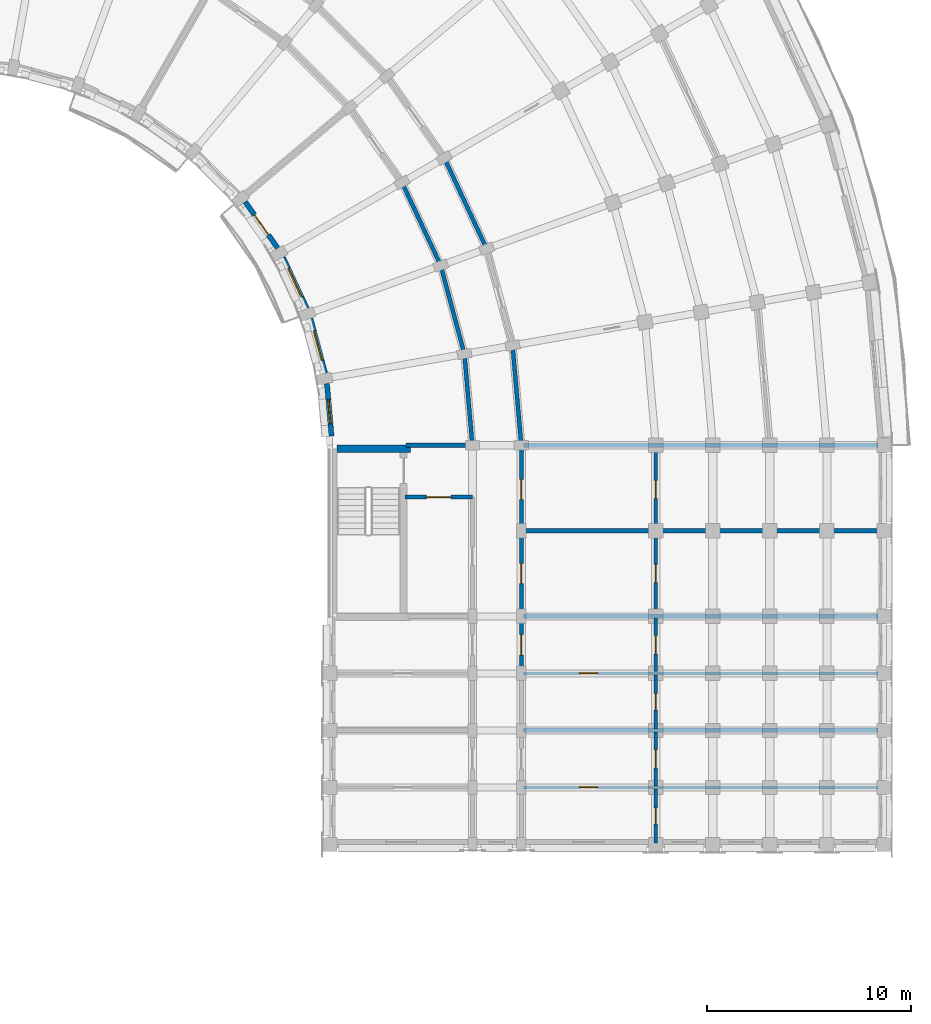
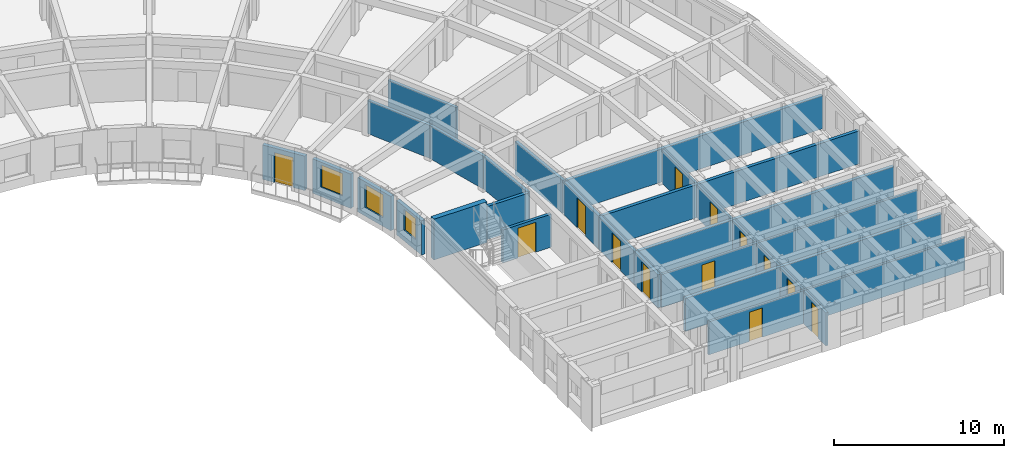
# One storey, part 34 of 57: 27 walls, 13 doors, 3 windows, 16 openings.
"""IFC4 building model written with IfcOpenShell, lengths in metres."""

from ifc_helpers import new_model, si_unit, direction, frame, frame_2d, origin, place, context, subcontext, project, spatial, rectangle, extrude, material, layer, layer_set, type_object, element, fill, save


model = new_model("IFC4")

# Units and contexts
model_context = context("Model", 3, precision=1e-05, world=origin(), true_north=direction((0.0, 1.0)))
body_context = subcontext(model_context, "Body", "Model", "MODEL_VIEW")
ifc_project = project(units=[si_unit("LENGTHUNIT", "METRE"), si_unit("AREAUNIT", "SQUARE_METRE"), si_unit("VOLUMEUNIT", "CUBIC_METRE"), si_unit("PLANEANGLEUNIT", "RADIAN"), si_unit("MASSUNIT", "GRAM", prefix="KILO")], contexts=[model_context])

# Site, building, storey
site_placement = place(None, origin())
site = spatial("IfcSite", under=ifc_project, at=site_placement, CompositionType="ELEMENT")
building_placement = place(site_placement, origin())
building = spatial("IfcBuilding", under=site, at=building_placement, Name="Kiranvali Square Residences", CompositionType="ELEMENT")
storey_placement = place(building_placement, frame((0.0, 0.0, 21.300048828125)))
storey = spatial("IfcBuildingStorey", under=building, at=storey_placement, Name="L06", CompositionType="ELEMENT", Elevation=21.300048828125)

# Wall, opening, door
ifc_material_1 = material(Name="Autoclaved aerated concrete blockwork masonry", Category="masonry")
ifc_layer_1 = layer(ifc_material_1, 0.199951171875)
ifc_layer_set_1 = layer_set([ifc_layer_1], Name="Autoclaved aerated concrete blockwork masonry")
wall_type_1 = type_object("IfcWallType", Name="WL-COR-200", PredefinedType="STANDARD", material=ifc_layer_set_1)
wall_1_placement = place(storey_placement, frame((142.300048828125, 85.25, 0.0), z_axis=(0.0, 0.0, 1.0), x_axis=(1.0, 0.0, 0.0)))
wall_1 = element("IfcWall", 1, at=wall_1_placement, inside=storey, type_object=wall_type_1, Name="L06 architectural wall WL-L06-B-S3-V", PredefinedType="STANDARD", context=body_context, shape_type="SweptSolid", body=[
    extrude(rectangle(XDim=3.300048828125, YDim=0.199951171875, at=frame_2d((1.64990234375, 0.0))), origin(), (0.0, 0.0, 1.0), 2.3720703125),
])
opening_1_placement = place(wall_1_placement, frame((1.0400390625, 0.0, 0.0)))
opening_1 = element("IfcOpeningElement", 2, at=opening_1_placement, cuts=wall_1, Name="Opening FD-COR-60", PredefinedType="OPENING", context=body_context, shape_type="SweptSolid", body=[
    extrude(rectangle(XDim=1.219970703125, YDim=2.14990234375, at=frame_2d((0.60986328125, 1.074951171875))), frame((0.0, 0.10986328125, 0.0), z_axis=(0.0, -1.0, 0.0), x_axis=(1.0, 0.0, 0.0)), (0.0, 0.0, 1.0), 0.219970703125),
])
ifc_material_2 = material(Name="Fire-rated acoustic hardwood and mineral-core door assembly", Category="wood")
door_type_1 = type_object("IfcDoorType", Name="DR-FD60-1200", OperationType="NOTDEFINED", PredefinedType="DOOR", material=ifc_material_2)
door_1_placement = place(opening_1_placement, origin())
door_1 = element("IfcDoor", 3, at=door_1_placement, inside=storey, type_object=door_type_1, Name="L06 door DR-L06-1335 (DR-FD60-1200)", OperationType="SINGLE_SWING_LEFT", OverallHeight=2.14990234375, OverallWidth=1.219970703125, PredefinedType="DOOR", context=body_context, shape_type="SweptSolid", body=[
    extrude(rectangle(XDim=1.219970703125, YDim=2.14990234375, at=frame_2d((0.60986328125, 1.074951171875))), frame((0.0, 0.02490234375, 0.0), z_axis=(0.0, -1.0, 0.0), x_axis=(1.0, 0.0, 0.0)), (0.0, 0.0, 1.0), 0.050048828125),
])
fill(opening_1, door_1)

# Walls
wall_2_placement = place(storey_placement, frame((142.1435546875, 100.699951171875, 0.0), z_axis=(0.0, 0.0, 1.0), x_axis=(0.422617978463, -0.906307919131, 0.0)))
element("IfcWall", 4, at=wall_2_placement, inside=storey, type_object=wall_type_1, Name="L06 architectural wall WL-L06-B-CCI-6", PredefinedType="STANDARD", context=body_context, shape_type="SweptSolid", body=[
    extrude(rectangle(XDim=4.497314453125, YDim=0.199951171875, at=frame_2d((2.24853515625, 0.0))), origin(), (0.0, 0.0, 1.0), 2.3720703125),
])
wall_3_placement = place(storey_placement, frame((144.221923828125, 101.89990234375, 0.0), z_axis=(0.0, 0.0, 1.0), x_axis=(0.422629854778, -0.906302381024, 0.0)))
element("IfcWall", 5, at=wall_3_placement, inside=storey, type_object=wall_type_1, Name="L06 architectural wall WL-L06-B-CCO-6", PredefinedType="STANDARD", context=body_context, shape_type="SweptSolid", body=[
    extrude(rectangle(XDim=4.915283203125, YDim=0.199951171875, at=frame_2d((2.45751953125, 0.0))), origin(), (0.0, 0.0, 1.0), 2.3720703125),
])
wall_4_placement = place(storey_placement, frame((144.044189453125, 96.6240234375, 0.0), z_axis=(0.0, 0.0, 1.0), x_axis=(0.258787642463, -0.965934240054, 0.0)))
element("IfcWall", 6, at=wall_4_placement, inside=storey, type_object=wall_type_1, Name="L06 architectural wall WL-L06-B-CCI-7", PredefinedType="STANDARD", context=body_context, shape_type="SweptSolid", body=[
    extrude(rectangle(XDim=4.497314453125, YDim=0.199951171875, at=frame_2d((2.24853515625, 0.0))), origin(), (0.0, 0.0, 1.0), 2.3720703125),
])
wall_5_placement = place(storey_placement, frame((145.2080078125, 92.280029296875, 0.0), z_axis=(0.0, 0.0, 1.0), x_axis=(0.087187153726, -0.996191949488, 0.0)))
element("IfcWall", 7, at=wall_5_placement, inside=storey, type_object=wall_type_1, Name="L06 architectural wall WL-L06-B-CCI-8", PredefinedType="STANDARD", context=body_context, shape_type="SweptSolid", body=[
    extrude(rectangle(XDim=4.4970703125, YDim=0.199951171875, at=frame_2d((2.24853515625, 0.0))), origin(), (0.0, 0.0, 1.0), 2.3720703125),
])
wall_6_placement = place(storey_placement, frame((147.571533203125, 92.69677734375, 0.0), z_axis=(0.0, 0.0, 1.0), x_axis=(0.087167566415, -0.996193663584, 0.0)))
element("IfcWall", 8, at=wall_6_placement, inside=storey, type_object=wall_type_1, Name="L06 architectural wall WL-L06-B-CCO-8", PredefinedType="STANDARD", context=body_context, shape_type="SweptSolid", body=[
    extrude(rectangle(XDim=4.91552734375, YDim=0.199951171875, at=frame_2d((2.457763671875, 0.0))), origin(), (0.0, 0.0, 1.0), 2.3720703125),
])

# Wall, opening, door
wall_7_placement = place(storey_placement, frame((148.0, 87.64990234375, 0.0), z_axis=(0.0, 0.0, 1.0), x_axis=(0.0, -1.0, 0.0)))
wall_7 = element("IfcWall", 9, at=wall_7_placement, inside=storey, type_object=wall_type_1, Name="L06 architectural wall WL-L06-B-A2CF-C0", PredefinedType="STANDARD", context=body_context, shape_type="SweptSolid", body=[
    extrude(rectangle(XDim=4.0498046875, YDim=0.199951171875, at=frame_2d((2.02490234375, 0.0))), origin(), (0.0, 0.0, 1.0), 2.3720703125),
])
opening_2_placement = place(wall_7_placement, frame((1.52490234375, 0.0, 0.0)))
opening_2 = element("IfcOpeningElement", 10, at=opening_2_placement, cuts=wall_7, Name="Opening FD-APT-60", PredefinedType="OPENING", context=body_context, shape_type="SweptSolid", body=[
    extrude(rectangle(XDim=1.0, YDim=2.14990234375, at=frame_2d((0.5, 1.074951171875))), frame((0.0, 0.10986328125, 0.0), z_axis=(0.0, -1.0, 0.0), x_axis=(1.0, 0.0, 0.0)), (0.0, 0.0, 1.0), 0.219970703125),
])
door_type_2 = type_object("IfcDoorType", Name="DR-APT-1000", OperationType="NOTDEFINED", PredefinedType="DOOR", material=ifc_material_2)
door_2_placement = place(opening_2_placement, frame((1.0, 0.0, 0.0), z_axis=(0.0, 0.0, 1.0), x_axis=(-1.0, 0.0, 0.0)))
door_2 = element("IfcDoor", 11, at=door_2_placement, inside=storey, type_object=door_type_2, Name="L06 door DR-L06-1370 (DR-APT-1000)", OperationType="SINGLE_SWING_RIGHT", OverallHeight=2.14990234375, OverallWidth=1.0, PredefinedType="DOOR", context=body_context, shape_type="SweptSolid", body=[
    extrude(rectangle(XDim=1.0, YDim=2.14990234375, at=frame_2d((0.5, 1.074951171875))), frame((0.0, 0.02490234375, 0.0), z_axis=(0.0, -1.0, 0.0), x_axis=(1.0, 0.0, 0.0)), (0.0, 0.0, 1.0), 0.050048828125),
])
fill(opening_2, door_2)

wall_8_placement = place(storey_placement, frame((148.0, 83.60009765625, 0.0), z_axis=(0.0, 0.0, 1.0), x_axis=(0.0, -1.0, 0.0)))
wall_8 = element("IfcWall", 12, at=wall_8_placement, inside=storey, type_object=wall_type_1, Name="L06 architectural wall WL-L06-B-A2CF-C1", PredefinedType="STANDARD", context=body_context, shape_type="SweptSolid", body=[
    extrude(rectangle(XDim=4.2001953125, YDim=0.199951171875, at=frame_2d((2.10009765625, 0.0))), origin(), (0.0, 0.0, 1.0), 2.3720703125),
])
opening_3_placement = place(wall_8_placement, frame((1.60009765625, 0.0, 0.0)))
opening_3 = element("IfcOpeningElement", 13, at=opening_3_placement, cuts=wall_8, Name="Opening FD-APT-60", PredefinedType="OPENING", context=body_context, shape_type="SweptSolid", body=[
    extrude(rectangle(XDim=1.0, YDim=2.14990234375, at=frame_2d((0.5, 1.074951171875))), frame((0.0, 0.10986328125, 0.0), z_axis=(0.0, -1.0, 0.0), x_axis=(1.0, 0.0, 0.0)), (0.0, 0.0, 1.0), 0.219970703125),
])
door_3_placement = place(opening_3_placement, frame((1.0, 0.0, 0.0), z_axis=(0.0, 0.0, 1.0), x_axis=(-1.0, 0.0, 0.0)))
door_3 = element("IfcDoor", 14, at=door_3_placement, inside=storey, type_object=door_type_2, Name="L06 door DR-L06-1372 (DR-APT-1000)", OperationType="SINGLE_SWING_RIGHT", OverallHeight=2.14990234375, OverallWidth=1.0, PredefinedType="DOOR", context=body_context, shape_type="SweptSolid", body=[
    extrude(rectangle(XDim=1.0, YDim=2.14990234375, at=frame_2d((0.5, 1.074951171875))), frame((0.0, 0.02490234375, 0.0), z_axis=(0.0, -1.0, 0.0), x_axis=(1.0, 0.0, 0.0)), (0.0, 0.0, 1.0), 0.050048828125),
])
fill(opening_3, door_3)

wall_9_placement = place(storey_placement, frame((148.0, 79.39990234375, 0.0), z_axis=(0.0, 0.0, 1.0), x_axis=(0.0, -1.0, 0.0)))
wall_9 = element("IfcWall", 15, at=wall_9_placement, inside=storey, type_object=wall_type_1, Name="L06 architectural wall WL-L06-B-A2CO-0", PredefinedType="STANDARD", context=body_context, shape_type="SweptSolid", body=[
    extrude(rectangle(XDim=2.7998046875, YDim=0.199951171875, at=frame_2d((1.39990234375, 0.0))), origin(), (0.0, 0.0, 1.0), 2.3720703125),
])
opening_4_placement = place(wall_9_placement, frame((0.89990234375, 0.0, 0.0)))
opening_4 = element("IfcOpeningElement", 16, at=opening_4_placement, cuts=wall_9, Name="Opening FD-APT-60", PredefinedType="OPENING", context=body_context, shape_type="SweptSolid", body=[
    extrude(rectangle(XDim=1.0, YDim=2.14990234375, at=frame_2d((0.5, 1.074951171875))), frame((0.0, 0.10986328125, 0.0), z_axis=(0.0, -1.0, 0.0), x_axis=(1.0, 0.0, 0.0)), (0.0, 0.0, 1.0), 0.219970703125),
])
door_4_placement = place(opening_4_placement, frame((1.0, 0.0, 0.0), z_axis=(0.0, 0.0, 1.0), x_axis=(-1.0, 0.0, 0.0)))
door_4 = element("IfcDoor", 17, at=door_4_placement, inside=storey, type_object=door_type_2, Name="L06 door DR-L06-1376 (DR-APT-1000)", OperationType="SINGLE_SWING_RIGHT", OverallHeight=2.14990234375, OverallWidth=1.0, PredefinedType="DOOR", context=body_context, shape_type="SweptSolid", body=[
    extrude(rectangle(XDim=1.0, YDim=2.14990234375, at=frame_2d((0.5, 1.074951171875))), frame((0.0, 0.02490234375, 0.0), z_axis=(0.0, -1.0, 0.0), x_axis=(1.0, 0.0, 0.0)), (0.0, 0.0, 1.0), 0.050048828125),
])
fill(opening_4, door_4)

# Walls
ifc_layer_2 = layer(ifc_material_1, 0.219970703125)
ifc_layer_set_2 = layer_set([ifc_layer_2], Name="Autoclaved aerated concrete blockwork masonry")
wall_type_2 = type_object("IfcWallType", Name="WL-DEM-220", PredefinedType="STANDARD", material=ifc_layer_set_2)
wall_10_placement = place(storey_placement, frame((142.35009765625, 87.800048828125, 0.0), z_axis=(0.0, 0.0, 1.0), x_axis=(1.0, 0.0, 0.0)))
element("IfcWall", 18, at=wall_10_placement, inside=storey, type_object=wall_type_2, Name="L06 architectural wall WL-L06-B-RADI-9", PredefinedType="STANDARD", context=body_context, shape_type="SweptSolid", body=[
    extrude(rectangle(XDim=3.199951171875, YDim=0.219970703125, at=frame_2d((1.60009765625, 0.0))), origin(), (0.0, 0.0, 1.0), 2.3720703125),
])
wall_11_placement = place(storey_placement, frame((148.10009765625, 87.800048828125, 0.0), z_axis=(0.0, 0.0, 1.0), x_axis=(1.0, 0.0, 0.0)))
element("IfcWall", 19, at=wall_11_placement, inside=storey, type_object=wall_type_2, Name="L06 architectural wall WL-L06-B-RADO-9", PredefinedType="STANDARD", context=body_context, shape_type="SweptSolid", body=[
    extrude(rectangle(XDim=17.419921875, YDim=0.219970703125, at=frame_2d((8.7099609375, 0.0))), origin(), (0.0, 0.0, 1.0), 2.3720703125),
])
wall_12_placement = place(storey_placement, frame((148.050048828125, 83.60009765625, 0.0), z_axis=(0.0, 0.0, 1.0), x_axis=(1.0, 0.0, 0.0)))
element("IfcWall", 20, at=wall_12_placement, inside=storey, type_object=wall_type_2, Name="L06 architectural wall WL-L06-B-A2CF-MID", PredefinedType="STANDARD", context=body_context, shape_type="SweptSolid", body=[
    extrude(rectangle(XDim=17.530029296875, YDim=0.219970703125, at=frame_2d((8.76513671875, 0.0))), origin(), (0.0, 0.0, 1.0), 2.3720703125),
])
for number, where, z_axis, x_axis, name in (
    (21, (148.10009765625, 79.39990234375, 0.0), (0.0, 0.0, 1.0), (1.0, 0.0, 0.0), "L06 architectural wall WL-L06-B-A2TO-0"),
    (22, (148.10009765625, 73.800048828125, 0.0), (0.0, 0.0, 1.0), (1.0, 0.0, 0.0), "L06 architectural wall WL-L06-B-A2TO-2"),
):
    element("IfcWall", number, at=place(storey_placement, frame(where, z_axis=z_axis, x_axis=x_axis)), inside=storey, type_object=wall_type_2, Name=name, PredefinedType="STANDARD", context=body_context, shape_type="SweptSolid", body=[
        extrude(rectangle(XDim=17.419921875, YDim=0.219970703125, at=frame_2d((8.7099609375, 0.0))), origin(), (0.0, 0.0, 1.0), 2.3720703125),
    ])

# Wall, opening, door
ifc_material_3 = material(Name="Breathable lime-rendered clay brick masonry", Category="masonry")
ifc_layer_3 = layer(ifc_material_3, 0.25)
ifc_layer_set_3 = layer_set([ifc_layer_3], Name="Breathable lime-rendered clay brick masonry")
wall_type_3 = type_object("IfcWallType", Name="WL-EXT-250", PredefinedType="STANDARD", material=ifc_layer_set_3)
wall_13_placement = place(storey_placement, frame((134.449462890625, 99.748291015625, 0.0), z_axis=(0.0, 0.0, 1.0), x_axis=(0.573633885053, -0.819111815273, 0.0)))
wall_13 = element("IfcWall", 23, at=wall_13_placement, inside=storey, type_object=wall_type_3, Name="L06 exterior wall B-L06-GDN-05", PredefinedType="STANDARD", context=body_context, shape_type="SweptSolid", body=[
    extrude(rectangle(XDim=2.769775390625, YDim=0.25, at=frame_2d((1.384765625, 0.0))), origin(), (0.0, 0.0, 1.0), 2.471923828125),
])
opening_5_placement = place(wall_13_placement, frame((0.784912109375, 0.0, 0.0)))
opening_5 = element("IfcOpeningElement", 24, at=opening_5_placement, cuts=wall_13, Name="Opening ED-BAL-1", PredefinedType="OPENING", context=body_context, shape_type="SweptSolid", body=[
    extrude(rectangle(XDim=1.199951171875, YDim=2.14990234375, at=frame_2d((0.60009765625, 1.074951171875))), frame((0.0, 0.135009765625, 0.0), z_axis=(0.0, -1.0, 0.0), x_axis=(1.0, 0.0, 0.0)), (0.0, 0.0, 1.0), 0.27001953125),
])
ifc_material_4 = material(Name="Anodised bronze aluminium framing", Category="aluminium")
door_type_3 = type_object("IfcDoorType", Name="DR-BAL-1200", OperationType="NOTDEFINED", PredefinedType="DOOR", material=ifc_material_4)
door_5_placement = place(opening_5_placement, frame((1.199951171875, 0.0, 0.0), z_axis=(0.0, 0.0, 1.0), x_axis=(-1.0, 0.0, 0.0)))
door_5 = element("IfcDoor", 25, at=door_5_placement, inside=storey, type_object=door_type_3, Name="L06 balcony terrace door", OperationType="SINGLE_SWING_LEFT", OverallHeight=2.14990234375, OverallWidth=1.199951171875, PredefinedType="DOOR", context=body_context, shape_type="SweptSolid", body=[
    extrude(rectangle(XDim=1.199951171875, YDim=2.14990234375, at=frame_2d((0.60009765625, 1.074951171875))), frame((0.0, 0.02490234375, 0.0), z_axis=(0.0, -1.0, 0.0), x_axis=(1.0, 0.0, 0.0)), (0.0, 0.0, 1.0), 0.050048828125),
])
fill(opening_5, door_5)

# Wall, opening, window
wall_14_placement = place(storey_placement, frame((136.3017578125, 97.02294921875, 0.0), z_axis=(0.0, 0.0, 1.0), x_axis=(0.422649007088, -0.906293449611, 0.0)))
wall_14 = element("IfcWall", 26, at=wall_14_placement, inside=storey, type_object=wall_type_3, Name="L06 exterior wall B-L06-GDN-06", PredefinedType="STANDARD", context=body_context, shape_type="SweptSolid", body=[
    extrude(rectangle(XDim=2.769775390625, YDim=0.25, at=frame_2d((1.384765625, 0.0))), origin(), (0.0, 0.0, 1.0), 2.471923828125),
])
opening_6_placement = place(wall_14_placement, frame((0.60986328125, 0.0, 0.672119140625)))
opening_6 = element("IfcOpeningElement", 27, at=opening_6_placement, cuts=wall_14, Name="Opening W-18", PredefinedType="OPENING", context=body_context, shape_type="SweptSolid", body=[
    extrude(rectangle(XDim=1.550048828125, YDim=1.60009765625, at=frame_2d((0.77490234375, 0.800048828125))), frame((0.0, 0.135009765625, 0.0), z_axis=(0.0, -1.0, 0.0), x_axis=(1.0, 0.0, 0.0)), (0.0, 0.0, 1.0), 0.27001953125),
])
ifc_material_5 = material(Name="Solar-control low-e double glazing", Category="glass")
window_type_1 = type_object("IfcWindowType", Name="WIN-GDN-1550x1600", PartitioningType="DOUBLE_PANEL_VERTICAL", PredefinedType="WINDOW", material=ifc_material_5)
window_1_placement = place(opening_6_placement, origin())
window_1 = element("IfcWindow", 28, at=window_1_placement, inside=storey, type_object=window_type_1, Name="L06 recessed window B-L06-GDN-06", OverallHeight=1.60009765625, OverallWidth=1.550048828125, PartitioningType="DOUBLE_PANEL_VERTICAL", PredefinedType="WINDOW", context=body_context, shape_type="SweptSolid", body=[
    extrude(rectangle(XDim=1.550048828125, YDim=1.60009765625, at=frame_2d((0.77490234375, 0.800048828125))), frame((0.0, 0.030029296875, 0.0), z_axis=(0.0, -1.0, 0.0), x_axis=(1.0, 0.0, 0.0)), (0.0, 0.0, 1.0), 0.06005859375),
])
fill(opening_6, window_1)

wall_15_placement = place(storey_placement, frame((137.652587890625, 94.017333984375, 0.0), z_axis=(0.0, 0.0, 1.0), x_axis=(0.25878161084, -0.965935855992, 0.0)))
wall_15 = element("IfcWall", 29, at=wall_15_placement, inside=storey, type_object=wall_type_3, Name="L06 exterior wall B-L06-GDN-07", PredefinedType="STANDARD", context=body_context, shape_type="SweptSolid", body=[
    extrude(rectangle(XDim=2.769775390625, YDim=0.25, at=frame_2d((1.384765625, 0.0))), origin(), (0.0, 0.0, 1.0), 2.471923828125),
])
opening_7_placement = place(wall_15_placement, frame((0.635009765625, 0.0, 0.6220703125)))
opening_7 = element("IfcOpeningElement", 30, at=opening_7_placement, cuts=wall_15, Name="Opening W-05", PredefinedType="OPENING", context=body_context, shape_type="SweptSolid", body=[
    extrude(rectangle(XDim=1.5, YDim=1.64990234375, at=frame_2d((0.75, 0.824951171875))), frame((0.0, 0.135009765625, 0.0), z_axis=(0.0, -1.0, 0.0), x_axis=(1.0, 0.0, 0.0)), (0.0, 0.0, 1.0), 0.27001953125),
])
window_type_2 = type_object("IfcWindowType", Name="WIN-RES-1500x1650", PartitioningType="DOUBLE_PANEL_VERTICAL", PredefinedType="WINDOW", material=ifc_material_5)
window_2_placement = place(opening_7_placement, origin())
window_2 = element("IfcWindow", 31, at=window_2_placement, inside=storey, type_object=window_type_2, Name="L06 recessed window B-L06-GDN-07", OverallHeight=1.64990234375, OverallWidth=1.5, PartitioningType="DOUBLE_PANEL_VERTICAL", PredefinedType="WINDOW", context=body_context, shape_type="SweptSolid", body=[
    extrude(rectangle(XDim=1.5, YDim=1.64990234375, at=frame_2d((0.75, 0.824951171875))), frame((0.0, 0.030029296875, 0.0), z_axis=(0.0, -1.0, 0.0), x_axis=(1.0, 0.0, 0.0)), (0.0, 0.0, 1.0), 0.06005859375),
])
fill(opening_7, window_2)

wall_16_placement = place(storey_placement, frame((138.4609375, 90.82275390625, 0.0), z_axis=(0.0, 0.0, 1.0), x_axis=(0.087229084652, -0.996188278786, 0.0)))
wall_16 = element("IfcWall", 32, at=wall_16_placement, inside=storey, type_object=wall_type_3, Name="L06 exterior wall B-L06-GDN-08", PredefinedType="STANDARD", context=body_context, shape_type="SweptSolid", body=[
    extrude(rectangle(XDim=2.583251953125, YDim=0.25, at=frame_2d((1.29150390625, 0.0))), origin(), (0.0, 0.0, 1.0), 2.471923828125),
])
opening_8_placement = place(wall_16_placement, frame((0.784912109375, 0.0, 0.77197265625)))
opening_8 = element("IfcOpeningElement", 33, at=opening_8_placement, cuts=wall_16, Name="Opening W-06", PredefinedType="OPENING", context=body_context, shape_type="SweptSolid", body=[
    extrude(rectangle(XDim=1.199951171875, YDim=1.5, at=frame_2d((0.60009765625, 0.75))), frame((0.0, 0.135009765625, 0.0), z_axis=(0.0, -1.0, 0.0), x_axis=(1.0, 0.0, 0.0)), (0.0, 0.0, 1.0), 0.27001953125),
])
window_type_3 = type_object("IfcWindowType", Name="WIN-RES-1200x1500", PartitioningType="SINGLE_PANEL", PredefinedType="WINDOW", material=ifc_material_5)
window_3_placement = place(opening_8_placement, origin())
window_3 = element("IfcWindow", 34, at=window_3_placement, inside=storey, type_object=window_type_3, Name="L06 recessed window B-L06-GDN-08", OverallHeight=1.5, OverallWidth=1.199951171875, PartitioningType="SINGLE_PANEL", PredefinedType="WINDOW", context=body_context, shape_type="SweptSolid", body=[
    extrude(rectangle(XDim=1.199951171875, YDim=1.5, at=frame_2d((0.60009765625, 0.75))), frame((0.0, 0.030029296875, 0.0), z_axis=(0.0, -1.0, 0.0), x_axis=(1.0, 0.0, 0.0)), (0.0, 0.0, 1.0), 0.06005859375),
])
fill(opening_8, window_3)

# Wall, opening, door
ifc_material_6 = material(Name="Acoustic gypsum board drylined partition", Category="gypsum")
ifc_layer_4 = layer(ifc_material_6, 0.14990234375)
ifc_layer_set_4 = layer_set([ifc_layer_4], Name="Acoustic gypsum board drylined partition")
wall_type_4 = type_object("IfcWallType", Name="WL-PRT-150", PredefinedType="PARTITIONING", material=ifc_layer_set_4)
wall_17_placement = place(storey_placement, frame((154.60009765625, 87.570068359375, 0.0), z_axis=(0.0, 0.0, 1.0), x_axis=(0.0, -1.0, 0.0)))
wall_17 = element("IfcWall", 35, at=wall_17_placement, inside=storey, type_object=wall_type_4, Name="L06 architectural wall WL-L06-B-A2CF-SP0", PredefinedType="PARTITIONING", context=body_context, shape_type="SweptSolid", body=[
    extrude(rectangle(XDim=3.89013671875, YDim=0.14990234375, at=frame_2d((1.945068359375, 0.0))), origin(), (0.0, 0.0, 1.0), 2.3720703125),
])
opening_9_placement = place(wall_17_placement, frame((1.4951171875, 0.0, 0.0)))
opening_9 = element("IfcOpeningElement", 36, at=opening_9_placement, cuts=wall_17, Name="Opening ID-1", PredefinedType="OPENING", context=body_context, shape_type="SweptSolid", body=[
    extrude(rectangle(XDim=0.89990234375, YDim=2.10009765625, at=frame_2d((0.449951171875, 1.050048828125))), frame((0.0, 0.0849609375, 0.0), z_axis=(0.0, -1.0, 0.0), x_axis=(1.0, 0.0, 0.0)), (0.0, 0.0, 1.0), 0.169921875),
])
ifc_material_7 = material(Name="Solid seasoned teak hardwood joinery", Category="wood")
door_type_4 = type_object("IfcDoorType", Name="DR-INT-900", OperationType="NOTDEFINED", PredefinedType="DOOR", material=ifc_material_7)
door_6_placement = place(opening_9_placement, origin())
door_6 = element("IfcDoor", 37, at=door_6_placement, inside=storey, type_object=door_type_4, Name="L06 door DR-L06-1371 (DR-INT-900)", OperationType="SINGLE_SWING_LEFT", OverallHeight=2.10009765625, OverallWidth=0.89990234375, PredefinedType="DOOR", context=body_context, shape_type="SweptSolid", body=[
    extrude(rectangle(XDim=0.89990234375, YDim=2.10009765625, at=frame_2d((0.449951171875, 1.050048828125))), frame((0.0, 0.02490234375, 0.0), z_axis=(0.0, -1.0, 0.0), x_axis=(1.0, 0.0, 0.0)), (0.0, 0.0, 1.0), 0.050048828125),
])
fill(opening_9, door_6)

wall_18_placement = place(storey_placement, frame((154.60009765625, 83.52001953125, 0.0), z_axis=(0.0, 0.0, 1.0), x_axis=(0.0, -1.0, 0.0)))
wall_18 = element("IfcWall", 38, at=wall_18_placement, inside=storey, type_object=wall_type_4, Name="L06 architectural wall WL-L06-B-A2CF-SP1", PredefinedType="PARTITIONING", context=body_context, shape_type="SweptSolid", body=[
    extrude(rectangle(XDim=4.0400390625, YDim=0.14990234375, at=frame_2d((2.02001953125, 0.0))), origin(), (0.0, 0.0, 1.0), 2.3720703125),
])
opening_10_placement = place(wall_18_placement, frame((1.570068359375, 0.0, 0.0)))
opening_10 = element("IfcOpeningElement", 39, at=opening_10_placement, cuts=wall_18, Name="Opening ID-1", PredefinedType="OPENING", context=body_context, shape_type="SweptSolid", body=[
    extrude(rectangle(XDim=0.89990234375, YDim=2.10009765625, at=frame_2d((0.449951171875, 1.050048828125))), frame((0.0, 0.0849609375, 0.0), z_axis=(0.0, -1.0, 0.0), x_axis=(1.0, 0.0, 0.0)), (0.0, 0.0, 1.0), 0.169921875),
])
door_7_placement = place(opening_10_placement, origin())
door_7 = element("IfcDoor", 40, at=door_7_placement, inside=storey, type_object=door_type_4, Name="L06 door DR-L06-1373 (DR-INT-900)", OperationType="SINGLE_SWING_LEFT", OverallHeight=2.10009765625, OverallWidth=0.89990234375, PredefinedType="DOOR", context=body_context, shape_type="SweptSolid", body=[
    extrude(rectangle(XDim=0.89990234375, YDim=2.10009765625, at=frame_2d((0.449951171875, 1.050048828125))), frame((0.0, 0.02490234375, 0.0), z_axis=(0.0, -1.0, 0.0), x_axis=(1.0, 0.0, 0.0)), (0.0, 0.0, 1.0), 0.050048828125),
])
fill(opening_10, door_7)

wall_19_placement = place(storey_placement, frame((148.10009765625, 76.60009765625, 0.0), z_axis=(0.0, 0.0, 1.0), x_axis=(1.0, 0.0, 0.0)))
wall_19 = element("IfcWall", 41, at=wall_19_placement, inside=storey, type_object=wall_type_4, Name="L06 architectural wall WL-L06-B-A2TO-1", PredefinedType="PARTITIONING", context=body_context, shape_type="SweptSolid", body=[
    extrude(rectangle(XDim=17.419921875, YDim=0.14990234375, at=frame_2d((8.7099609375, 0.0))), origin(), (0.0, 0.0, 1.0), 2.3720703125),
])
opening_11_placement = place(wall_19_placement, frame((2.75, 0.0, 0.0)))
opening_11 = element("IfcOpeningElement", 42, at=opening_11_placement, cuts=wall_19, Name="Opening ID-1", PredefinedType="OPENING", context=body_context, shape_type="SweptSolid", body=[
    extrude(rectangle(XDim=0.89990234375, YDim=2.10009765625, at=frame_2d((0.449951171875, 1.050048828125))), frame((0.0, 0.0849609375, 0.0), z_axis=(0.0, -1.0, 0.0), x_axis=(1.0, 0.0, 0.0)), (0.0, 0.0, 1.0), 0.169921875),
])
door_8_placement = place(opening_11_placement, origin())
door_8 = element("IfcDoor", 43, at=door_8_placement, inside=storey, type_object=door_type_4, Name="L06 door DR-L06-1379 (DR-INT-900)", OperationType="SINGLE_SWING_LEFT", OverallHeight=2.10009765625, OverallWidth=0.89990234375, PredefinedType="DOOR", context=body_context, shape_type="SweptSolid", body=[
    extrude(rectangle(XDim=0.89990234375, YDim=2.10009765625, at=frame_2d((0.449951171875, 1.050048828125))), frame((0.0, 0.02490234375, 0.0), z_axis=(0.0, -1.0, 0.0), x_axis=(1.0, 0.0, 0.0)), (0.0, 0.0, 1.0), 0.050048828125),
])
fill(opening_11, door_8)

wall_20_placement = place(storey_placement, frame((148.10009765625, 71.0, 0.0), z_axis=(0.0, 0.0, 1.0), x_axis=(1.0, 0.0, 0.0)))
wall_20 = element("IfcWall", 44, at=wall_20_placement, inside=storey, type_object=wall_type_4, Name="L06 architectural wall WL-L06-B-A2TO-3", PredefinedType="PARTITIONING", context=body_context, shape_type="SweptSolid", body=[
    extrude(rectangle(XDim=17.419921875, YDim=0.14990234375, at=frame_2d((8.7099609375, 0.0))), origin(), (0.0, 0.0, 1.0), 2.3720703125),
])
opening_12_placement = place(wall_20_placement, frame((2.75, 0.0, 0.0)))
opening_12 = element("IfcOpeningElement", 45, at=opening_12_placement, cuts=wall_20, Name="Opening ID-1", PredefinedType="OPENING", context=body_context, shape_type="SweptSolid", body=[
    extrude(rectangle(XDim=0.89990234375, YDim=2.10009765625, at=frame_2d((0.449951171875, 1.050048828125))), frame((0.0, 0.0849609375, 0.0), z_axis=(0.0, -1.0, 0.0), x_axis=(1.0, 0.0, 0.0)), (0.0, 0.0, 1.0), 0.169921875),
])
door_9_placement = place(opening_12_placement, origin())
door_9 = element("IfcDoor", 46, at=door_9_placement, inside=storey, type_object=door_type_4, Name="L06 door DR-L06-1385 (DR-INT-900)", OperationType="SINGLE_SWING_LEFT", OverallHeight=2.10009765625, OverallWidth=0.89990234375, PredefinedType="DOOR", context=body_context, shape_type="SweptSolid", body=[
    extrude(rectangle(XDim=0.89990234375, YDim=2.10009765625, at=frame_2d((0.449951171875, 1.050048828125))), frame((0.0, 0.02490234375, 0.0), z_axis=(0.0, -1.0, 0.0), x_axis=(1.0, 0.0, 0.0)), (0.0, 0.0, 1.0), 0.050048828125),
])
fill(opening_12, door_9)

# Wall
ifc_material_8 = material(Name="Concrete M45 (45 MPa)", Category="concrete")
ifc_layer_5 = layer(ifc_material_8, 0.320068359375)
ifc_layer_set_5 = layer_set([ifc_layer_5], Name="Concrete M45 (45 MPa)")
wall_type_5 = type_object("IfcWallType", Name="WL-SHR-320", PredefinedType="SHEAR", material=ifc_layer_set_5)
wall_21_placement = place(storey_placement, frame((138.949951171875, 87.625, 0.0), z_axis=(0.0, 0.0, 1.0), x_axis=(1.0, 0.0, 0.0)))
element("IfcWall", 47, at=wall_21_placement, inside=storey, type_object=wall_type_5, Name="Block B core shear wall SW-B3-NEAR-L06", PredefinedType="SHEAR", context=body_context, shape_type="SweptSolid", body=[
    extrude(rectangle(XDim=3.60009765625, YDim=0.35009765625, at=frame_2d((1.800048828125, 0.0))), origin(), (0.0, 0.0, 1.0), 2.929931640625),
])

# Wall, opening, door
ifc_layer_6 = layer(ifc_material_1, 0.14990234375)
ifc_layer_set_6 = layer_set([ifc_layer_6], Name="Autoclaved aerated concrete blockwork masonry")
wall_type_6 = type_object("IfcWallType", Name="WL-WET-150", PredefinedType="PLUMBINGWALL", material=ifc_layer_set_6)
wall_22_placement = place(storey_placement, frame((154.60009765625, 79.320068359375, 0.0), z_axis=(0.0, 0.0, 1.0), x_axis=(0.0, -1.0, 0.0)))
wall_22 = element("IfcWall", 48, at=wall_22_placement, inside=storey, type_object=wall_type_6, Name="L06 architectural wall WL-L06-B-A2SP-0", PredefinedType="PLUMBINGWALL", context=body_context, shape_type="SweptSolid", body=[
    extrude(rectangle(XDim=2.64013671875, YDim=0.14990234375, at=frame_2d((1.320068359375, 0.0))), origin(), (0.0, 0.0, 1.0), 2.3720703125),
])
opening_13_placement = place(wall_22_placement, frame((0.8701171875, 0.0, 0.0)))
opening_13 = element("IfcOpeningElement", 49, at=opening_13_placement, cuts=wall_22, Name="Opening ID-1", PredefinedType="OPENING", context=body_context, shape_type="SweptSolid", body=[
    extrude(rectangle(XDim=0.89990234375, YDim=2.10009765625, at=frame_2d((0.449951171875, 1.050048828125))), frame((0.0, 0.0849609375, 0.0), z_axis=(0.0, -1.0, 0.0), x_axis=(1.0, 0.0, 0.0)), (0.0, 0.0, 1.0), 0.169921875),
])
door_10_placement = place(opening_13_placement, origin())
door_10 = element("IfcDoor", 50, at=door_10_placement, inside=storey, type_object=door_type_4, Name="L06 door DR-L06-1375 (DR-INT-900)", OperationType="SINGLE_SWING_LEFT", OverallHeight=2.10009765625, OverallWidth=0.89990234375, PredefinedType="DOOR", context=body_context, shape_type="SweptSolid", body=[
    extrude(rectangle(XDim=0.89990234375, YDim=2.10009765625, at=frame_2d((0.449951171875, 1.050048828125))), frame((0.0, 0.02490234375, 0.0), z_axis=(0.0, -1.0, 0.0), x_axis=(1.0, 0.0, 0.0)), (0.0, 0.0, 1.0), 0.050048828125),
])
fill(opening_13, door_10)

wall_23_placement = place(storey_placement, frame((154.60009765625, 76.52001953125, 0.0), z_axis=(0.0, 0.0, 1.0), x_axis=(0.0, -1.0, 0.0)))
wall_23 = element("IfcWall", 51, at=wall_23_placement, inside=storey, type_object=wall_type_6, Name="L06 architectural wall WL-L06-B-A2SP-1", PredefinedType="PLUMBINGWALL", context=body_context, shape_type="SweptSolid", body=[
    extrude(rectangle(XDim=2.64013671875, YDim=0.14990234375, at=frame_2d((1.320068359375, 0.0))), origin(), (0.0, 0.0, 1.0), 2.3720703125),
])
opening_14_placement = place(wall_23_placement, frame((0.919921875, 0.0, 0.0)))
opening_14 = element("IfcOpeningElement", 52, at=opening_14_placement, cuts=wall_23, Name="Opening ID-WET", PredefinedType="OPENING", context=body_context, shape_type="SweptSolid", body=[
    extrude(rectangle(XDim=0.800048828125, YDim=2.10009765625, at=frame_2d((0.39990234375, 1.050048828125))), frame((0.0, 0.0849609375, 0.0), z_axis=(0.0, -1.0, 0.0), x_axis=(1.0, 0.0, 0.0)), (0.0, 0.0, 1.0), 0.169921875),
])
door_type_5 = type_object("IfcDoorType", Name="DR-WET-800", OperationType="NOTDEFINED", PredefinedType="DOOR", material=ifc_material_7)
door_11_placement = place(opening_14_placement, origin())
door_11 = element("IfcDoor", 53, at=door_11_placement, inside=storey, type_object=door_type_5, Name="L06 door DR-L06-1377 (DR-WET-800)", OperationType="SINGLE_SWING_LEFT", OverallHeight=2.10009765625, OverallWidth=0.800048828125, PredefinedType="DOOR", context=body_context, shape_type="SweptSolid", body=[
    extrude(rectangle(XDim=0.800048828125, YDim=2.10009765625, at=frame_2d((0.39990234375, 1.050048828125))), frame((0.0, 0.02490234375, 0.0), z_axis=(0.0, -1.0, 0.0), x_axis=(1.0, 0.0, 0.0)), (0.0, 0.0, 1.0), 0.050048828125),
])
fill(opening_14, door_11)

wall_24_placement = place(storey_placement, frame((154.60009765625, 73.719970703125, 0.0), z_axis=(0.0, 0.0, 1.0), x_axis=(0.0, -1.0, 0.0)))
wall_24 = element("IfcWall", 54, at=wall_24_placement, inside=storey, type_object=wall_type_6, Name="L06 architectural wall WL-L06-B-A2SP-2", PredefinedType="PLUMBINGWALL", context=body_context, shape_type="SweptSolid", body=[
    extrude(rectangle(XDim=2.639892578125, YDim=0.14990234375, at=frame_2d((1.31982421875, 0.0))), origin(), (0.0, 0.0, 1.0), 2.3720703125),
])
opening_15_placement = place(wall_24_placement, frame((0.8701171875, 0.0, 0.0)))
opening_15 = element("IfcOpeningElement", 55, at=opening_15_placement, cuts=wall_24, Name="Opening ID-1", PredefinedType="OPENING", context=body_context, shape_type="SweptSolid", body=[
    extrude(rectangle(XDim=0.89990234375, YDim=2.10009765625, at=frame_2d((0.449951171875, 1.050048828125))), frame((0.0, 0.0849609375, 0.0), z_axis=(0.0, -1.0, 0.0), x_axis=(1.0, 0.0, 0.0)), (0.0, 0.0, 1.0), 0.169921875),
])
door_12_placement = place(opening_15_placement, origin())
door_12 = element("IfcDoor", 56, at=door_12_placement, inside=storey, type_object=door_type_4, Name="L06 door DR-L06-1381 (DR-INT-900)", OperationType="SINGLE_SWING_LEFT", OverallHeight=2.10009765625, OverallWidth=0.89990234375, PredefinedType="DOOR", context=body_context, shape_type="SweptSolid", body=[
    extrude(rectangle(XDim=0.89990234375, YDim=2.10009765625, at=frame_2d((0.449951171875, 1.050048828125))), frame((0.0, 0.02490234375, 0.0), z_axis=(0.0, -1.0, 0.0), x_axis=(1.0, 0.0, 0.0)), (0.0, 0.0, 1.0), 0.050048828125),
])
fill(opening_15, door_12)

wall_25_placement = place(storey_placement, frame((154.60009765625, 70.919921875, 0.0), z_axis=(0.0, 0.0, 1.0), x_axis=(0.0, -1.0, 0.0)))
wall_25 = element("IfcWall", 57, at=wall_25_placement, inside=storey, type_object=wall_type_6, Name="L06 architectural wall WL-L06-B-A2SP-3", PredefinedType="PLUMBINGWALL", context=body_context, shape_type="SweptSolid", body=[
    extrude(rectangle(XDim=2.639892578125, YDim=0.14990234375, at=frame_2d((1.31982421875, 0.0))), origin(), (0.0, 0.0, 1.0), 2.3720703125),
])
opening_16_placement = place(wall_25_placement, frame((0.919921875, 0.0, 0.0)))
opening_16 = element("IfcOpeningElement", 58, at=opening_16_placement, cuts=wall_25, Name="Opening ID-WET", PredefinedType="OPENING", context=body_context, shape_type="SweptSolid", body=[
    extrude(rectangle(XDim=0.800048828125, YDim=2.10009765625, at=frame_2d((0.39990234375, 1.050048828125))), frame((0.0, 0.0849609375, 0.0), z_axis=(0.0, -1.0, 0.0), x_axis=(1.0, 0.0, 0.0)), (0.0, 0.0, 1.0), 0.169921875),
])
door_13_placement = place(opening_16_placement, origin())
door_13 = element("IfcDoor", 59, at=door_13_placement, inside=storey, type_object=door_type_5, Name="L06 door DR-L06-1383 (DR-WET-800)", OperationType="SINGLE_SWING_LEFT", OverallHeight=2.10009765625, OverallWidth=0.800048828125, PredefinedType="DOOR", context=body_context, shape_type="SweptSolid", body=[
    extrude(rectangle(XDim=0.800048828125, YDim=2.10009765625, at=frame_2d((0.39990234375, 1.050048828125))), frame((0.0, 0.02490234375, 0.0), z_axis=(0.0, -1.0, 0.0), x_axis=(1.0, 0.0, 0.0)), (0.0, 0.0, 1.0), 0.050048828125),
])
fill(opening_16, door_13)

save(model, "model.ifc")
